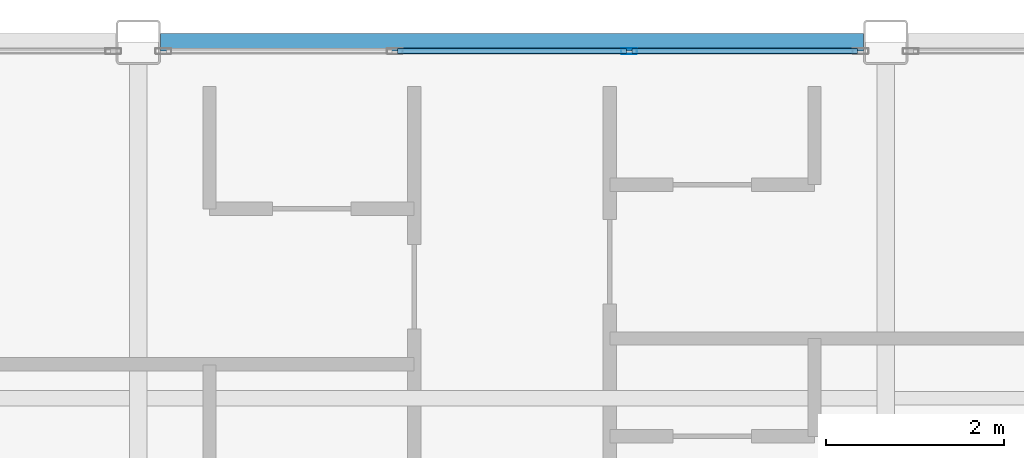
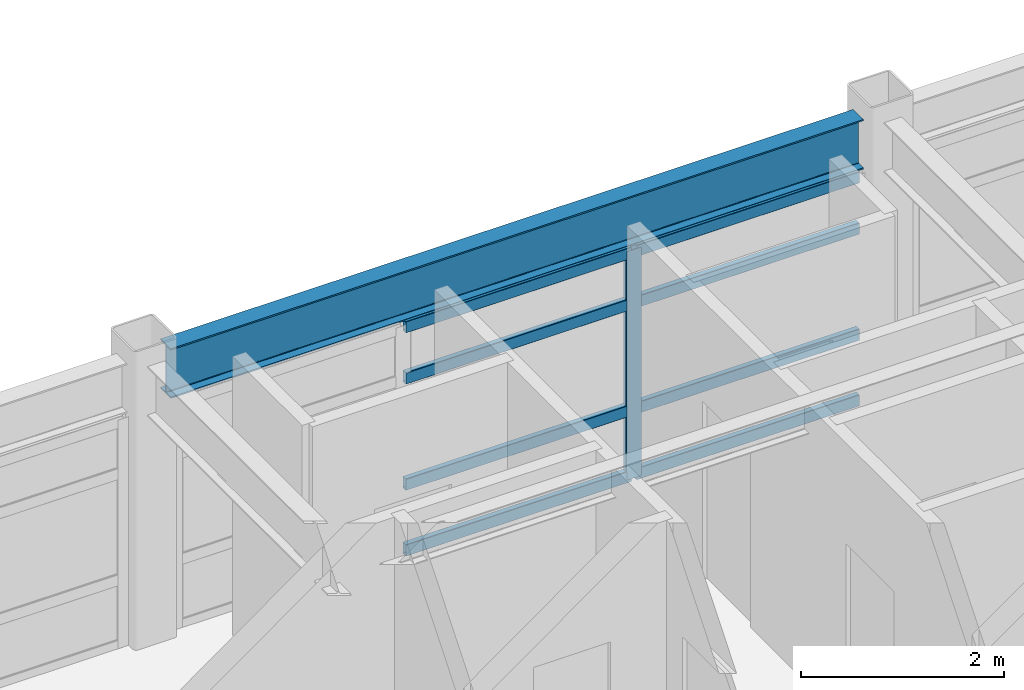
# One storey, part 19 of 35: 9 members, 1 beam, 1 element without a shape of its own.
"""IFC4 building model written with IfcOpenShell, lengths in metres."""

from ifc_helpers import new_model, si_unit, direction, frame, origin, origin_2d, place, context, subcontext, project, spatial, hollow_rectangle, i_section, extrude, material, layer, layer_set, material_profile, profile_set, type_object, element, aggregate, save


model = new_model("IFC4")

# Units and contexts
model_context = context("Model", 3, precision=1e-05, world=origin(), true_north=direction((0.0, 1.0)))
body_context = subcontext(model_context, "Body", "Model", "MODEL_VIEW")
ifc_project = project(units=[si_unit("LENGTHUNIT", "METRE"), si_unit("AREAUNIT", "SQUARE_METRE"), si_unit("VOLUMEUNIT", "CUBIC_METRE"), si_unit("PLANEANGLEUNIT", "RADIAN"), si_unit("MASSUNIT", "GRAM", prefix="KILO")], contexts=[model_context])

# Site, building, storey
site_placement = place(None, origin())
site = spatial("IfcSite", under=ifc_project, at=site_placement, CompositionType="ELEMENT")
building_placement = place(site_placement, origin())
building = spatial("IfcBuilding", under=site, at=building_placement, Name="Kazehara Bluff Congress Hotel", CompositionType="ELEMENT")
storey_placement = place(building_placement, frame((0.0, 0.0, 35.39990234375)))
storey = spatial("IfcBuildingStorey", under=building, at=storey_placement, Name="L08", CompositionType="ELEMENT", Elevation=35.39990234375)

# Curtain wall, members
ifc_material_1 = material(Name="Anodised aluminium", Category="aluminium")
ifc_layer = layer(ifc_material_1, 0.159912109375)
ifc_layer_set = layer_set([ifc_layer], Name="Anodised aluminium")
curtain_wall_type = type_object("IfcCurtainWallType", Name="TP-CW-185", PredefinedType="NOTDEFINED", material=ifc_layer_set)
curtain_wall_placement = place(storey_placement, origin())
curtain_wall = element("IfcCurtainWall", 1, at=curtain_wall_placement, inside=storey, type_object=curtain_wall_type, Name="L08 curtain wall CW-185 CW-ENC-V5-L08-15630-9680", PredefinedType="NOTDEFINED")
ifc_material_2 = material(Name="Anodised aluminium", Category="aluminium")
ifc_material_profile_1 = material_profile(ifc_material_2, hollow_rectangle(XDim=0.06494140625, YDim=0.179931640625, WallThickness=0.00390625, InnerFilletRadius=0.00390625, OuterFilletRadius=0.008056640625, at=origin_2d()))
ifc_profile_set_1 = profile_set([ifc_material_profile_1], Name="Anodised aluminium")
member_type_1 = type_object("IfcMemberType", Name="TP-CWM-02", PredefinedType="MULLION", material=ifc_profile_set_1)
member_1_placement = place(storey_placement, frame((157.61669921875, 96.800048828125, 0.0), z_axis=(0.0, 0.0, 1.0), x_axis=(0.0, 1.0, 0.0)))
member_1 = element("IfcMember", 2, at=member_1_placement, type_object=member_type_1, Name="CW-185 mullion 3", PredefinedType="MULLION", context=body_context, shape_type="SweptSolid", body=[
    extrude(hollow_rectangle(XDim=0.06494140625, YDim=0.179931640625, WallThickness=0.00390625, InnerFilletRadius=0.00390625, OuterFilletRadius=0.008056640625, at=origin_2d()), origin(), (0.0, 0.0, 1.0), 2.755126953125),
])
ifc_material_3 = material(Name="Anodised aluminium", Category="aluminium")
ifc_material_profile_2 = material_profile(ifc_material_3, hollow_rectangle(XDim=0.06494140625, YDim=0.139892578125, WallThickness=0.00390625, InnerFilletRadius=0.00390625, OuterFilletRadius=0.008056640625, at=origin_2d()))
ifc_profile_set_2 = profile_set([ifc_material_profile_2], Name="Anodised aluminium")
member_type_2 = type_object("IfcMemberType", Name="TP-CWT-02", PredefinedType="USERDEFINED", material=ifc_profile_set_2)
member_2_placement = place(storey_placement, frame((155.015869140625, 96.800048828125, 0.03271484375), z_axis=(1.0, 0.0, 0.0), x_axis=(0.0, 1.0, 0.0)))
member_2 = element("IfcMember", 3, at=member_2_placement, type_object=member_type_2, Name="CW-185 transom 2.1", ObjectType="TRANSOM", PredefinedType="USERDEFINED", context=body_context, shape_type="SweptSolid", body=[
    extrude(hollow_rectangle(XDim=0.06494140625, YDim=0.139892578125, WallThickness=0.00390625, InnerFilletRadius=0.00390625, OuterFilletRadius=0.008056640625, at=origin_2d()), origin(), (0.0, 0.0, 1.0), 2.568359375),
])
member_3_placement = place(storey_placement, frame((155.015869140625, 96.800048828125, 0.8251953125), z_axis=(1.0, 0.0, 0.0), x_axis=(0.0, 1.0, 0.0)))
member_3 = element("IfcMember", 4, at=member_3_placement, type_object=member_type_2, Name="CW-185 transom 2.2", ObjectType="TRANSOM", PredefinedType="USERDEFINED", context=body_context, shape_type="SweptSolid", body=[
    extrude(hollow_rectangle(XDim=0.06494140625, YDim=0.139892578125, WallThickness=0.00390625, InnerFilletRadius=0.00390625, OuterFilletRadius=0.008056640625, at=origin_2d()), origin(), (0.0, 0.0, 1.0), 2.568359375),
])
member_4_placement = place(storey_placement, frame((155.015869140625, 96.800048828125, 2.10498046875), z_axis=(1.0, 0.0, 0.0), x_axis=(0.0, 1.0, 0.0)))
member_4 = element("IfcMember", 5, at=member_4_placement, type_object=member_type_2, Name="CW-185 transom 2.3", ObjectType="TRANSOM", PredefinedType="USERDEFINED", context=body_context, shape_type="SweptSolid", body=[
    extrude(hollow_rectangle(XDim=0.06494140625, YDim=0.139892578125, WallThickness=0.00390625, InnerFilletRadius=0.00390625, OuterFilletRadius=0.008056640625, at=origin_2d()), origin(), (0.0, 0.0, 1.0), 2.568359375),
])
member_5_placement = place(storey_placement, frame((155.015869140625, 96.800048828125, 2.72265625), z_axis=(1.0, 0.0, 0.0), x_axis=(0.0, 1.0, 0.0)))
member_5 = element("IfcMember", 6, at=member_5_placement, type_object=member_type_2, Name="CW-185 transom 2.4", ObjectType="TRANSOM", PredefinedType="USERDEFINED", context=body_context, shape_type="SweptSolid", body=[
    extrude(hollow_rectangle(XDim=0.06494140625, YDim=0.139892578125, WallThickness=0.00390625, InnerFilletRadius=0.00390625, OuterFilletRadius=0.008056640625, at=origin_2d()), origin(), (0.0, 0.0, 1.0), 2.568359375),
])
member_6_placement = place(storey_placement, frame((157.649169921875, 96.800048828125, 0.03271484375), z_axis=(1.0, 0.0, 0.0), x_axis=(0.0, 1.0, 0.0)))
member_6 = element("IfcMember", 7, at=member_6_placement, type_object=member_type_2, Name="CW-185 transom 3.1", ObjectType="TRANSOM", PredefinedType="USERDEFINED", context=body_context, shape_type="SweptSolid", body=[
    extrude(hollow_rectangle(XDim=0.06494140625, YDim=0.139892578125, WallThickness=0.00390625, InnerFilletRadius=0.00390625, OuterFilletRadius=0.008056640625, at=origin_2d()), origin(), (0.0, 0.0, 1.0), 2.535888671875),
])
member_7_placement = place(storey_placement, frame((157.649169921875, 96.800048828125, 0.8251953125), z_axis=(1.0, 0.0, 0.0), x_axis=(0.0, 1.0, 0.0)))
member_7 = element("IfcMember", 8, at=member_7_placement, type_object=member_type_2, Name="CW-185 transom 3.2", ObjectType="TRANSOM", PredefinedType="USERDEFINED", context=body_context, shape_type="SweptSolid", body=[
    extrude(hollow_rectangle(XDim=0.06494140625, YDim=0.139892578125, WallThickness=0.00390625, InnerFilletRadius=0.00390625, OuterFilletRadius=0.008056640625, at=origin_2d()), origin(), (0.0, 0.0, 1.0), 2.535888671875),
])
member_8_placement = place(storey_placement, frame((157.649169921875, 96.800048828125, 2.10498046875), z_axis=(1.0, 0.0, 0.0), x_axis=(0.0, 1.0, 0.0)))
member_8 = element("IfcMember", 9, at=member_8_placement, type_object=member_type_2, Name="CW-185 transom 3.3", ObjectType="TRANSOM", PredefinedType="USERDEFINED", context=body_context, shape_type="SweptSolid", body=[
    extrude(hollow_rectangle(XDim=0.06494140625, YDim=0.139892578125, WallThickness=0.00390625, InnerFilletRadius=0.00390625, OuterFilletRadius=0.008056640625, at=origin_2d()), origin(), (0.0, 0.0, 1.0), 2.535888671875),
])
member_9_placement = place(storey_placement, frame((157.649169921875, 96.800048828125, 2.72265625), z_axis=(1.0, 0.0, 0.0), x_axis=(0.0, 1.0, 0.0)))
member_9 = element("IfcMember", 10, at=member_9_placement, type_object=member_type_2, Name="CW-185 transom 3.4", ObjectType="TRANSOM", PredefinedType="USERDEFINED", context=body_context, shape_type="SweptSolid", body=[
    extrude(hollow_rectangle(XDim=0.06494140625, YDim=0.139892578125, WallThickness=0.00390625, InnerFilletRadius=0.00390625, OuterFilletRadius=0.008056640625, at=origin_2d()), origin(), (0.0, 0.0, 1.0), 2.535888671875),
])
aggregate(curtain_wall, [member_1, member_2, member_3, member_4, member_5, member_6, member_7, member_8, member_9])

# Beam
ifc_material_4 = material(Name="Steel SN490B", Category="steel")
ifc_material_profile_3 = material_profile(ifc_material_4, i_section(OverallWidth=0.199951171875, OverallDepth=0.60009765625, WebThickness=0.010986328125, FlangeThickness=0.01708984375, FilletRadius=0.012939453125, at=origin_2d()))
ifc_profile_set_3 = profile_set([ifc_material_profile_3], Name="Steel SN490B")
beam_type = type_object("IfcBeamType", Name="TP-G-02", PredefinedType="BEAM", material=ifc_profile_set_3)
beam_placement = place(storey_placement, frame((152.35009765625, 96.89990234375, 3.080078125), z_axis=(1.0, 0.0, 0.0), x_axis=(0.0, 1.0, 0.0)))
element("IfcBeam", 11, at=beam_placement, inside=storey, type_object=beam_type, Name="L08 girder G-02 66", PredefinedType="BEAM", context=body_context, shape_type="SweptSolid", body=[
    extrude(i_section(OverallWidth=0.199951171875, OverallDepth=0.60009765625, WebThickness=0.010986328125, FlangeThickness=0.01708984375, FilletRadius=0.012939453125, at=origin_2d()), origin(), (0.0, 0.0, 1.0), 7.89990234375),
])

save(model, "model.ifc")
